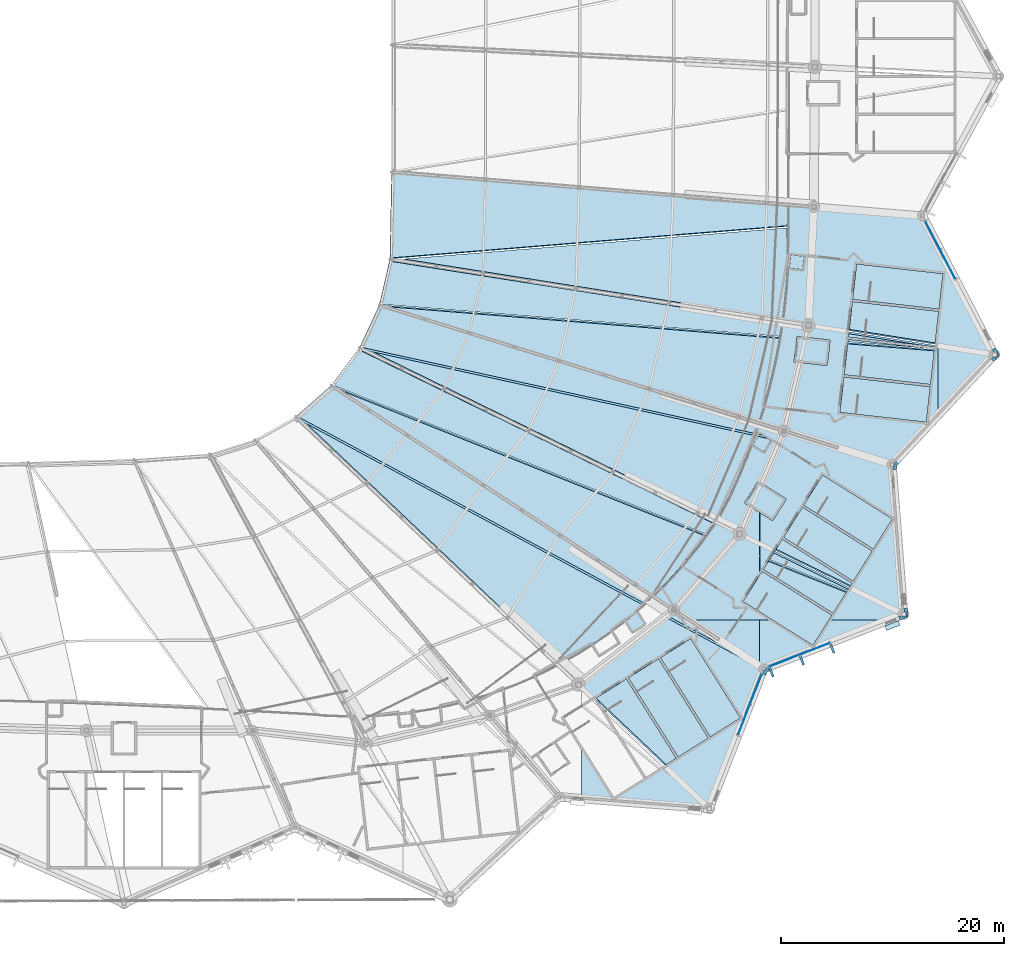
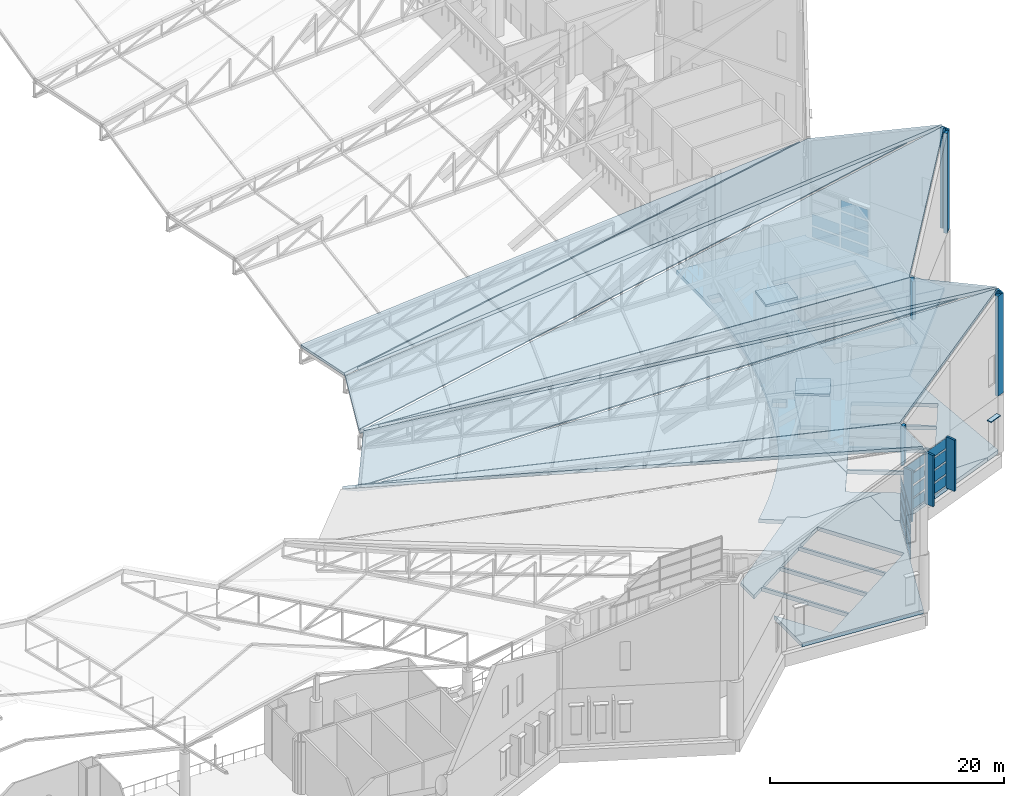
# One storey, part 232 of 344: 30 plates, 19 slabs, 3 elements without a shape of their own.
"""IFC4 building model written with IfcOpenShell, lengths in metres."""

from ifc_helpers import new_model, si_unit, direction, frame, origin, origin_2d, place, context, subcontext, project, spatial, polyline, rectangle, outline, extrude, material, layer, layer_set, type_object, element, aggregate, save


model = new_model("IFC4")

# Units and contexts
model_context = context("Model", 3, precision=1e-05, world=origin(), true_north=direction((0.0, 1.0)))
body_context = subcontext(model_context, "Body", "Model", "MODEL_VIEW")
ifc_project = project(units=[si_unit("LENGTHUNIT", "METRE"), si_unit("AREAUNIT", "SQUARE_METRE"), si_unit("VOLUMEUNIT", "CUBIC_METRE"), si_unit("PLANEANGLEUNIT", "RADIAN"), si_unit("MASSUNIT", "GRAM", prefix="KILO")], contexts=[model_context])

# Site, building, storey
site_placement = place(None, origin())
site = spatial("IfcSite", under=ifc_project, at=site_placement, CompositionType="ELEMENT")
building_placement = place(site_placement, origin())
building = spatial("IfcBuilding", under=site, at=building_placement, Name="Meseta Stadium", CompositionType="ELEMENT")
storey_placement = place(building_placement, frame((0.0, 0.0, 24.0)))
storey = spatial("IfcBuildingStorey", under=building, at=storey_placement, Name="L04", CompositionType="ELEMENT", Elevation=24.0)

# Plates
ifc_material_1 = material(Name="White precast concrete C40/50", Category="concrete")
ifc_layer_1 = layer(ifc_material_1, 0.199951171875)
ifc_layer_set_1 = layer_set([ifc_layer_1], Name="Brise-soleil fin 200x900")
plate_type_1 = type_object("IfcPlateType", Name="Brise-soleil fin 200x900", PredefinedType="USERDEFINED", material=ifc_layer_set_1)
for number, where, z_axis, x_axis, name in (
    (1, (81.044921875, -84.663818359375, 0.0), (0.0, 0.0, 1.0), (0.931679912901, 0.363280249803, 0.0), "Brise-soleil fin F53.1"),
    (2, (83.77001953125, -83.601318359375, 0.0), (0.0, 0.0, 1.0), (0.931679912901, 0.363280249803, 0.0), "Brise-soleil fin F53.2"),
    (3, (86.4951171875, -82.538818359375, 0.0), (0.0, 0.0, 1.0), (0.931679912901, 0.363280249803, 0.0), "Brise-soleil fin F53.3"),
):
    element("IfcPlate", number, at=place(storey_placement, frame(where, z_axis=z_axis, x_axis=x_axis)), inside=storey, type_object=plate_type_1, Name=name, ObjectType="FIN", PredefinedType="USERDEFINED", context=body_context, shape_type="SweptSolid", body=[
        extrude(rectangle(XDim=0.199951171875, YDim=0.89990234375, at=origin_2d()), origin(), (0.0, 0.0, 1.0), 5.35009765625),
    ])

# Curtain wall, plates
ifc_material_2 = material(Name="Steel S355", Category="steel")
ifc_layer_2 = layer(ifc_material_2, 0.300048828125)
ifc_layer_set_2 = layer_set([ifc_layer_2], Name="Valley atrium curtain wall")
curtain_wall_type = type_object("IfcCurtainWallType", Name="Valley atrium curtain wall", PredefinedType="NOTDEFINED", material=ifc_layer_set_2)
curtain_wall_1_placement = place(storey_placement, origin())
curtain_wall_1 = element("IfcCurtainWall", 4, at=curtain_wall_1_placement, inside=storey, type_object=curtain_wall_type, Name="Valley atrium glazing F00", PredefinedType="NOTDEFINED")
ifc_material_3 = material(Name="Glass", Category="glass")
ifc_layer_3 = layer(ifc_material_3, 0.035888671875)
ifc_layer_set_3 = layer_set([ifc_layer_3], Name="CW glass panel 36")
plate_type_2 = type_object("IfcPlateType", Name="CW glass panel 36", PredefinedType="CURTAIN_PANEL", material=ifc_layer_set_3)
plate_1_placement = place(storey_placement, frame((96.859619140625, -48.111572265625, 0.199951171875), z_axis=(0.0, 0.0, 1.0), x_axis=(-0.460015515377, 0.887910877066, 0.0)))
plate_1 = element("IfcPlate", 5, at=plate_1_placement, type_object=plate_type_2, Name="CWA panel 1.1", PredefinedType="CURTAIN_PANEL", context=body_context, shape_type="SweptSolid", body=[
    extrude(rectangle(XDim=2.77490234375, YDim=0.035888671875, at=origin_2d()), origin(), (0.0, 0.0, 1.0), 1.03759765625),
])
plate_2_placement = place(storey_placement, frame((96.859619140625, -48.111572265625, 1.4375), z_axis=(0.0, 0.0, 1.0), x_axis=(-0.460015515377, 0.887910877066, 0.0)))
plate_2 = element("IfcPlate", 6, at=plate_2_placement, type_object=plate_type_2, Name="CWA panel 1.2", PredefinedType="CURTAIN_PANEL", context=body_context, shape_type="SweptSolid", body=[
    extrude(rectangle(XDim=2.77490234375, YDim=0.035888671875, at=origin_2d()), origin(), (0.0, 0.0, 1.0), 1.137451171875),
])
plate_3_placement = place(storey_placement, frame((96.859619140625, -48.111572265625, 2.77490234375), z_axis=(0.0, 0.0, 1.0), x_axis=(-0.460015515377, 0.887910877066, 0.0)))
plate_3 = element("IfcPlate", 7, at=plate_3_placement, type_object=plate_type_2, Name="CWA panel 1.3", PredefinedType="CURTAIN_PANEL", context=body_context, shape_type="SweptSolid", body=[
    extrude(rectangle(XDim=2.77490234375, YDim=0.035888671875, at=origin_2d()), origin(), (0.0, 0.0, 1.0), 1.137451171875),
])
plate_4_placement = place(storey_placement, frame((96.859619140625, -48.111572265625, 4.112548828125), z_axis=(0.0, 0.0, 1.0), x_axis=(-0.460015515377, 0.887910877066, 0.0)))
plate_4 = element("IfcPlate", 8, at=plate_4_placement, type_object=plate_type_2, Name="CWA panel 1.4", PredefinedType="CURTAIN_PANEL", context=body_context, shape_type="SweptSolid", body=[
    extrude(rectangle(XDim=2.77490234375, YDim=0.035888671875, at=origin_2d()), origin(), (0.0, 0.0, 1.0), 1.03759765625),
])
plate_5_placement = place(storey_placement, frame((95.51416015625, -45.514404296875, 0.199951171875), z_axis=(0.0, 0.0, 1.0), x_axis=(-0.460015515377, 0.887910877066, 0.0)))
plate_5 = element("IfcPlate", 9, at=plate_5_placement, type_object=plate_type_2, Name="CWA panel 2.1", PredefinedType="CURTAIN_PANEL", context=body_context, shape_type="SweptSolid", body=[
    extrude(rectangle(XDim=2.77490234375, YDim=0.035888671875, at=origin_2d()), origin(), (0.0, 0.0, 1.0), 1.03759765625),
])
plate_6_placement = place(storey_placement, frame((95.51416015625, -45.514404296875, 1.4375), z_axis=(0.0, 0.0, 1.0), x_axis=(-0.460015515377, 0.887910877066, 0.0)))
plate_6 = element("IfcPlate", 10, at=plate_6_placement, type_object=plate_type_2, Name="CWA panel 2.2", PredefinedType="CURTAIN_PANEL", context=body_context, shape_type="SweptSolid", body=[
    extrude(rectangle(XDim=2.77490234375, YDim=0.035888671875, at=origin_2d()), origin(), (0.0, 0.0, 1.0), 1.137451171875),
])
aggregate(curtain_wall_1, [plate_1, plate_2, plate_3, plate_4, plate_5, plate_6])

curtain_wall_2_placement = place(storey_placement, origin())
curtain_wall_2 = element("IfcCurtainWall", 11, at=curtain_wall_2_placement, inside=storey, type_object=curtain_wall_type, Name="Valley atrium glazing F52", PredefinedType="NOTDEFINED")
plate_7_placement = place(storey_placement, frame((78.580810546875, -88.94189453125, 0.199951171875), z_axis=(0.0, 0.0, 1.0), x_axis=(0.363280249803, 0.931679912901, 0.0)))
plate_7 = element("IfcPlate", 12, at=plate_7_placement, type_object=plate_type_2, Name="CWA panel 1.1", PredefinedType="CURTAIN_PANEL", context=body_context, shape_type="SweptSolid", body=[
    extrude(rectangle(XDim=2.77490234375, YDim=0.035888671875, at=origin_2d()), origin(), (0.0, 0.0, 1.0), 1.03759765625),
])
plate_8_placement = place(storey_placement, frame((78.580810546875, -88.94189453125, 1.4375), z_axis=(0.0, 0.0, 1.0), x_axis=(0.363280249803, 0.931679912901, 0.0)))
plate_8 = element("IfcPlate", 13, at=plate_8_placement, type_object=plate_type_2, Name="CWA panel 1.2", PredefinedType="CURTAIN_PANEL", context=body_context, shape_type="SweptSolid", body=[
    extrude(rectangle(XDim=2.77490234375, YDim=0.035888671875, at=origin_2d()), origin(), (0.0, 0.0, 1.0), 1.137451171875),
])
plate_9_placement = place(storey_placement, frame((78.580810546875, -88.94189453125, 2.77490234375), z_axis=(0.0, 0.0, 1.0), x_axis=(0.363280249803, 0.931679912901, 0.0)))
plate_9 = element("IfcPlate", 14, at=plate_9_placement, type_object=plate_type_2, Name="CWA panel 1.3", PredefinedType="CURTAIN_PANEL", context=body_context, shape_type="SweptSolid", body=[
    extrude(rectangle(XDim=2.77490234375, YDim=0.035888671875, at=origin_2d()), origin(), (0.0, 0.0, 1.0), 1.137451171875),
])
plate_10_placement = place(storey_placement, frame((78.580810546875, -88.94189453125, 4.112548828125), z_axis=(0.0, 0.0, 1.0), x_axis=(0.363280249803, 0.931679912901, 0.0)))
plate_10 = element("IfcPlate", 15, at=plate_10_placement, type_object=plate_type_2, Name="CWA panel 1.4", PredefinedType="CURTAIN_PANEL", context=body_context, shape_type="SweptSolid", body=[
    extrude(rectangle(XDim=2.77490234375, YDim=0.035888671875, at=origin_2d()), origin(), (0.0, 0.0, 1.0), 1.03759765625),
])
plate_11_placement = place(storey_placement, frame((79.6435546875, -86.216796875, 0.199951171875), z_axis=(0.0, 0.0, 1.0), x_axis=(0.363280249803, 0.931679912901, 0.0)))
plate_11 = element("IfcPlate", 16, at=plate_11_placement, type_object=plate_type_2, Name="CWA panel 2.1", PredefinedType="CURTAIN_PANEL", context=body_context, shape_type="SweptSolid", body=[
    extrude(rectangle(XDim=2.77490234375, YDim=0.035888671875, at=origin_2d()), origin(), (0.0, 0.0, 1.0), 1.03759765625),
])
plate_12_placement = place(storey_placement, frame((79.6435546875, -86.216796875, 1.4375), z_axis=(0.0, 0.0, 1.0), x_axis=(0.363280249803, 0.931679912901, 0.0)))
plate_12 = element("IfcPlate", 17, at=plate_12_placement, type_object=plate_type_2, Name="CWA panel 2.2", PredefinedType="CURTAIN_PANEL", context=body_context, shape_type="SweptSolid", body=[
    extrude(rectangle(XDim=2.77490234375, YDim=0.035888671875, at=origin_2d()), origin(), (0.0, 0.0, 1.0), 1.137451171875),
])
plate_13_placement = place(storey_placement, frame((79.6435546875, -86.216796875, 2.77490234375), z_axis=(0.0, 0.0, 1.0), x_axis=(0.363280249803, 0.931679912901, 0.0)))
plate_13 = element("IfcPlate", 18, at=plate_13_placement, type_object=plate_type_2, Name="CWA panel 2.3", PredefinedType="CURTAIN_PANEL", context=body_context, shape_type="SweptSolid", body=[
    extrude(rectangle(XDim=2.77490234375, YDim=0.035888671875, at=origin_2d()), origin(), (0.0, 0.0, 1.0), 1.137451171875),
])
plate_14_placement = place(storey_placement, frame((79.6435546875, -86.216796875, 4.112548828125), z_axis=(0.0, 0.0, 1.0), x_axis=(0.363280249803, 0.931679912901, 0.0)))
plate_14 = element("IfcPlate", 19, at=plate_14_placement, type_object=plate_type_2, Name="CWA panel 2.4", PredefinedType="CURTAIN_PANEL", context=body_context, shape_type="SweptSolid", body=[
    extrude(rectangle(XDim=2.77490234375, YDim=0.035888671875, at=origin_2d()), origin(), (0.0, 0.0, 1.0), 1.03759765625),
])
aggregate(curtain_wall_2, [plate_7, plate_8, plate_9, plate_10, plate_11, plate_12, plate_13, plate_14])

curtain_wall_3_placement = place(storey_placement, origin())
curtain_wall_3 = element("IfcCurtainWall", 20, at=curtain_wall_3_placement, inside=storey, type_object=curtain_wall_type, Name="Valley atrium glazing F53", PredefinedType="NOTDEFINED")
plate_15_placement = place(storey_placement, frame((82.216796875, -83.6435546875, 0.199951171875), z_axis=(0.0, 0.0, 1.0), x_axis=(0.931679912901, 0.363280249803, 0.0)))
plate_15 = element("IfcPlate", 21, at=plate_15_placement, type_object=plate_type_2, Name="CWA panel 1.1", PredefinedType="CURTAIN_PANEL", context=body_context, shape_type="SweptSolid", body=[
    extrude(rectangle(XDim=2.77490234375, YDim=0.035888671875, at=origin_2d()), origin(), (0.0, 0.0, 1.0), 1.03759765625),
])
plate_16_placement = place(storey_placement, frame((82.216796875, -83.6435546875, 1.4375), z_axis=(0.0, 0.0, 1.0), x_axis=(0.931679912901, 0.363280249803, 0.0)))
plate_16 = element("IfcPlate", 22, at=plate_16_placement, type_object=plate_type_2, Name="CWA panel 1.2", PredefinedType="CURTAIN_PANEL", context=body_context, shape_type="SweptSolid", body=[
    extrude(rectangle(XDim=2.77490234375, YDim=0.035888671875, at=origin_2d()), origin(), (0.0, 0.0, 1.0), 1.137451171875),
])
plate_17_placement = place(storey_placement, frame((82.216796875, -83.6435546875, 2.77490234375), z_axis=(0.0, 0.0, 1.0), x_axis=(0.931679912901, 0.363280249803, 0.0)))
plate_17 = element("IfcPlate", 23, at=plate_17_placement, type_object=plate_type_2, Name="CWA panel 1.3", PredefinedType="CURTAIN_PANEL", context=body_context, shape_type="SweptSolid", body=[
    extrude(rectangle(XDim=2.77490234375, YDim=0.035888671875, at=origin_2d()), origin(), (0.0, 0.0, 1.0), 1.137451171875),
])
plate_18_placement = place(storey_placement, frame((82.216796875, -83.6435546875, 4.112548828125), z_axis=(0.0, 0.0, 1.0), x_axis=(0.931679912901, 0.363280249803, 0.0)))
plate_18 = element("IfcPlate", 24, at=plate_18_placement, type_object=plate_type_2, Name="CWA panel 1.4", PredefinedType="CURTAIN_PANEL", context=body_context, shape_type="SweptSolid", body=[
    extrude(rectangle(XDim=2.77490234375, YDim=0.035888671875, at=origin_2d()), origin(), (0.0, 0.0, 1.0), 1.03759765625),
])
plate_19_placement = place(storey_placement, frame((84.94189453125, -82.580810546875, 0.199951171875), z_axis=(0.0, 0.0, 1.0), x_axis=(0.931679912901, 0.363280249803, 0.0)))
plate_19 = element("IfcPlate", 25, at=plate_19_placement, type_object=plate_type_2, Name="CWA panel 2.1", PredefinedType="CURTAIN_PANEL", context=body_context, shape_type="SweptSolid", body=[
    extrude(rectangle(XDim=2.77490234375, YDim=0.035888671875, at=origin_2d()), origin(), (0.0, 0.0, 1.0), 1.03759765625),
])
plate_20_placement = place(storey_placement, frame((84.94189453125, -82.580810546875, 1.4375), z_axis=(0.0, 0.0, 1.0), x_axis=(0.931679912901, 0.363280249803, 0.0)))
plate_20 = element("IfcPlate", 26, at=plate_20_placement, type_object=plate_type_2, Name="CWA panel 2.2", PredefinedType="CURTAIN_PANEL", context=body_context, shape_type="SweptSolid", body=[
    extrude(rectangle(XDim=2.77490234375, YDim=0.035888671875, at=origin_2d()), origin(), (0.0, 0.0, 1.0), 1.137451171875),
])
plate_21_placement = place(storey_placement, frame((84.94189453125, -82.580810546875, 2.77490234375), z_axis=(0.0, 0.0, 1.0), x_axis=(0.931679912901, 0.363280249803, 0.0)))
plate_21 = element("IfcPlate", 27, at=plate_21_placement, type_object=plate_type_2, Name="CWA panel 2.3", PredefinedType="CURTAIN_PANEL", context=body_context, shape_type="SweptSolid", body=[
    extrude(rectangle(XDim=2.77490234375, YDim=0.035888671875, at=origin_2d()), origin(), (0.0, 0.0, 1.0), 1.137451171875),
])
plate_22_placement = place(storey_placement, frame((84.94189453125, -82.580810546875, 4.112548828125), z_axis=(0.0, 0.0, 1.0), x_axis=(0.931679912901, 0.363280249803, 0.0)))
plate_22 = element("IfcPlate", 28, at=plate_22_placement, type_object=plate_type_2, Name="CWA panel 2.4", PredefinedType="CURTAIN_PANEL", context=body_context, shape_type="SweptSolid", body=[
    extrude(rectangle(XDim=2.77490234375, YDim=0.035888671875, at=origin_2d()), origin(), (0.0, 0.0, 1.0), 1.03759765625),
])
aggregate(curtain_wall_3, [plate_15, plate_16, plate_17, plate_18, plate_19, plate_20, plate_21, plate_22])

# Slabs
ifc_material_4 = material(Name="Concrete C40/50", Category="concrete")
ifc_layer_4 = layer(ifc_material_4, 0.25)
ifc_layer_set_4 = layer_set([ifc_layer_4], Name="Core roof slab 250")
slab_type_1 = type_object("IfcSlabType", Name="Core roof slab 250", PredefinedType="ROOF", material=ifc_layer_set_4)
slab_1_placement = place(storey_placement, frame((0.0, 0.0, 4.60009765625)))
element("IfcSlab", 29, at=slab_1_placement, inside=storey, type_object=slab_type_1, Name="Core 01 lift overrun roof", PredefinedType="ROOF", context=body_context, shape_type="SweptSolid", body=[
    extrude(outline(polyline([(86.048095703125, -57.17919921875), (83.06689453125, -56.84326171875), (83.324462890625, -54.5576171875), (86.305419921875, -54.8935546875), (86.048095703125, -57.17919921875)])), origin(), (0.0, 0.0, 1.0), 0.25),
])
slab_2_placement = place(storey_placement, frame((0.0, 0.0, 4.60009765625)))
element("IfcSlab", 30, at=slab_2_placement, inside=storey, type_object=slab_type_1, Name="Core 28 lift overrun roof", PredefinedType="ROOF", context=body_context, shape_type="SweptSolid", body=[
    extrude(outline(polyline([(81.16796875, -71.093505859375), (78.627685546875, -69.49755859375), (79.851318359375, -67.550048828125), (82.3916015625, -69.14599609375), (81.16796875, -71.093505859375)])), origin(), (0.0, 0.0, 1.0), 0.25),
])
ifc_material_5 = material(Name="Concrete C40/50", Category="concrete")
ifc_layer_5 = layer(ifc_material_5, 0.39990234375)
ifc_layer_set_5 = layer_set([ifc_layer_5], Name="Floor slab 400")
slab_type_2 = type_object("IfcSlabType", Name="Floor slab 400", PredefinedType="FLOOR", material=ifc_layer_set_5)
slab_3_placement = place(storey_placement, frame((0.0, 0.0, -0.39990234375)))
element("IfcSlab", 31, at=slab_3_placement, inside=storey, type_object=slab_type_2, Name="Floor slab L04 sector 00 panel 07", PredefinedType="FLOOR", context=body_context, shape_type="SweptSolid", body=[
    extrude(outline(polyline([(94.736328125, -43.49951171875), (82.47802734375, -42.55859375), (82.44091796875, -48.63525390625), (82.330810546875, -50.19287109375), (82.176025390625, -51.74609375), (81.977783203125, -53.2841796875), (87.98779296875, -54.252197265625), (88.30419921875, -51.44580078125), (96.05517578125, -52.319091796875), (95.697509765625, -55.493896484375), (100.927490234375, -56.336181640625), (101.0517578125, -56.202880859375), (94.60009765625, -43.75), (94.736328125, -43.49951171875)]), holes=[polyline([(82.7890625, -47.251708984375), (83.9814453125, -47.385986328125), (83.84716796875, -48.57861328125), (82.65478515625, -48.444091796875), (82.7890625, -47.251708984375)]), polyline([(96.077392578125, -52.1201171875), (88.326416015625, -51.246826171875), (88.684814453125, -48.06689453125), (96.435791015625, -48.9404296875), (96.077392578125, -52.1201171875)])]), origin(), (0.0, 0.0, 1.0), 0.39990234375),
])
slab_4_placement = place(storey_placement, frame((0.0, 0.0, -0.39990234375)))
element("IfcSlab", 32, at=slab_4_placement, inside=storey, type_object=slab_type_2, Name="Floor slab L04 sector 49 panel 04", PredefinedType="FLOOR", context=body_context, shape_type="SweptSolid", body=[
    extrude(outline(polyline([(75.828857421875, -96.0), (80.365478515625, -84.365478515625), (80.0, -84.126220703125), (80.0, -80.0), (73.699951171875, -80.0), (72.31201171875, -79.091064453125), (64.0, -85.5615234375), (64.0, -87.8203125), (65.1689453125, -87.085693359375), (69.63818359375, -94.1982421875), (66.9287109375, -95.90087890625), (64.0, -91.239990234375), (64.0, -96.023193359375), (75.474609375, -96.908447265625), (75.825927734375, -96.00732421875), (75.818115234375, -96.0), (75.828857421875, -96.0)]), holes=[polyline([(72.516845703125, -92.389404296875), (69.807373046875, -94.091796875), (65.33837890625, -86.9794921875), (68.0478515625, -85.27685546875), (72.516845703125, -92.389404296875)]), polyline([(75.395751953125, -90.58056640625), (72.686279296875, -92.282958984375), (68.21728515625, -85.17041015625), (70.9267578125, -83.468017578125), (75.395751953125, -90.58056640625)]), polyline([(78.274658203125, -88.771484375), (75.565185546875, -90.47412109375), (71.09619140625, -83.361572265625), (73.8056640625, -81.6591796875), (78.274658203125, -88.771484375)])]), origin(), (0.0, 0.0, 1.0), 0.39990234375),
])
slab_5_placement = place(storey_placement, frame((0.0, 0.0, -0.39990234375)))
element("IfcSlab", 33, at=slab_5_placement, inside=storey, type_object=slab_type_2, Name="Floor slab L04 sector 49 panel 05", PredefinedType="FLOOR", context=body_context, shape_type="SweptSolid", body=[
    extrude(outline(polyline([(72.264892578125, -75.945068359375), (71.172119140625, -77.0810546875), (70.034423828125, -78.172607421875), (71.885986328125, -79.422607421875), (72.31201171875, -79.091064453125), (73.699951171875, -80.0), (81.151611328125, -80.0), (78.505859375, -78.337646484375), (80.0, -75.959716796875), (80.0, -70.12353515625), (78.903564453125, -69.4345703125), (79.914306640625, -67.82568359375), (80.06787109375, -67.922119140625), (82.13427734375, -63.114990234375), (79.852783203125, -62.399658203125), (79.347412109375, -63.8759765625), (79.30078125, -64.0), (78.799072265625, -65.337158203125), (78.208984375, -66.782470703125), (77.5771484375, -68.21044921875), (76.904296875, -69.6201171875), (76.15234375, -70.99169921875), (75.256103515625, -72.287353515625), (74.30859375, -73.546142578125), (73.31103515625, -74.76611328125), (72.264892578125, -75.945068359375)]), holes=[polyline([(80.377197265625, -64.927734375), (79.361083984375, -64.289306640625), (80.0, -63.273681640625), (81.015625, -63.91162109375), (80.377197265625, -64.927734375)])]), origin(), (0.0, 0.0, 1.0), 0.39990234375),
])
slab_6_placement = place(storey_placement, frame((0.0, 0.0, -0.39990234375)))
element("IfcSlab", 34, at=slab_6_placement, inside=storey, type_object=slab_type_2, Name="Floor slab L04 sector 49 panel 06", PredefinedType="FLOOR", context=body_context, shape_type="SweptSolid", body=[
    extrude(outline(polyline([(80.0, -80.0), (80.0, -84.126220703125), (80.365478515625, -84.365478515625), (91.56103515625, -80.0), (86.20068359375, -80.0), (84.771484375, -82.274658203125), (81.151611328125, -80.0), (80.0, -80.0)])), origin(), (0.0, 0.0, 1.0), 0.39990234375),
])
slab_7_placement = place(storey_placement, frame((0.0, 0.0, -0.39990234375)))
element("IfcSlab", 35, at=slab_7_placement, inside=storey, type_object=slab_type_2, Name="Floor slab L04 sector 49 panel 07", PredefinedType="FLOOR", context=body_context, shape_type="SweptSolid", body=[
    extrude(outline(polyline([(95.3837890625, -55.463623046875), (87.94580078125, -54.62548828125), (87.985595703125, -54.272216796875), (81.974853515625, -53.303955078125), (81.732421875, -54.83544921875), (81.444091796875, -56.368896484375), (81.11181640625, -57.89306640625), (80.735595703125, -59.406982421875), (80.31591796875, -60.90966796875), (79.852783203125, -62.399658203125), (91.8818359375, -66.171142578125), (91.872802734375, -66.051513671875), (96.0, -61.623046875), (96.0, -55.56298828125), (95.3837890625, -55.463623046875)]), holes=[polyline([(86.08447265625, -55.06982421875), (85.87158203125, -56.9580078125), (83.2880859375, -56.6669921875), (83.500732421875, -54.77880859375), (86.08447265625, -55.06982421875)]), polyline([(87.1845703125, -61.3828125), (87.542724609375, -58.202880859375), (95.293701171875, -59.076171875), (94.935302734375, -62.256103515625), (87.1845703125, -61.3828125)]), polyline([(87.565185546875, -58.004150390625), (87.923583984375, -54.82421875), (95.67431640625, -55.697509765625), (95.316162109375, -58.87744140625), (87.565185546875, -58.004150390625)])]), origin(), (0.0, 0.0, 1.0), 0.39990234375),
])
slab_8_placement = place(storey_placement, frame((0.0, 0.0, -0.39990234375)))
element("IfcSlab", 36, at=slab_8_placement, inside=storey, type_object=slab_type_2, Name="Floor slab L04 sector 49 panel 08", PredefinedType="FLOOR", context=body_context, shape_type="SweptSolid", body=[
    extrude(outline(polyline([(91.8818359375, -66.171142578125), (82.1455078125, -63.11865234375), (82.145263671875, -63.11962890625), (80.078857421875, -67.927001953125), (80.078369140625, -67.927978515625), (80.077880859375, -67.9287109375), (82.11572265625, -69.208984375), (81.10498046875, -70.81787109375), (80.011962890625, -70.131103515625), (80.011962890625, -75.9404296875), (80.208251953125, -75.628173828125), (86.47412109375, -79.565185546875), (86.20068359375, -80.0), (91.56103515625, -80.0), (92.908447265625, -79.474609375), (91.8818359375, -66.171142578125)]), holes=[polyline([(80.314697265625, -75.458740234375), (82.01708984375, -72.749267578125), (88.282958984375, -76.686279296875), (86.58056640625, -79.395751953125), (80.314697265625, -75.458740234375)]), polyline([(88.389404296875, -76.516845703125), (82.123779296875, -72.579833984375), (83.826171875, -69.870361328125), (90.091796875, -73.807373046875), (88.389404296875, -76.516845703125)]), polyline([(90.1982421875, -73.63818359375), (83.9326171875, -69.700927734375), (85.635009765625, -66.991455078125), (91.90087890625, -70.9287109375), (90.1982421875, -73.63818359375)])]), origin(), (0.0, 0.0, 1.0), 0.39990234375),
])
slab_9_placement = place(storey_placement, frame((0.0, 0.0, -0.39990234375)))
element("IfcSlab", 37, at=slab_9_placement, inside=storey, type_object=slab_type_2, Name="Floor slab L04 sector 49 panel 09", PredefinedType="FLOOR", context=body_context, shape_type="SweptSolid", body=[
    extrude(outline(polyline([(96.0, -61.623046875), (100.910888671875, -56.353759765625), (96.0, -55.56298828125), (96.0, -61.623046875)])), origin(), (0.0, 0.0, 1.0), 0.39990234375),
])

# Plates
ifc_material_6 = material(Name="White precast concrete C40/50", Category="concrete")
ifc_layer_6 = layer(ifc_material_6, 0.320068359375)
ifc_layer_set_6 = layer_set([ifc_layer_6], Name="Fold closer plate 320")
plate_type_3 = type_object("IfcPlateType", Name="Fold closer plate 320", PredefinedType="USERDEFINED", material=ifc_layer_set_6)
plate_23_placement = place(storey_placement, frame((0.0, 0.0, 6.0)))
element("IfcPlate", 38, at=plate_23_placement, inside=storey, type_object=plate_type_3, Name="Pleated fascia fold closer L04 F52", ObjectType="CLADDING", PredefinedType="USERDEFINED", context=body_context, shape_type="SweptSolid", body=[
    extrude(outline(polyline([(80.345947265625, -84.525390625), (80.2392578125, -84.798828125), (80.53759765625, -84.9150390625), (80.643310546875, -84.643310546875), (80.9150390625, -84.53759765625), (80.798828125, -84.2392578125), (80.525390625, -84.345947265625), (80.525390625, -84.515380859375), (80.52099609375, -84.523681640625), (80.345947265625, -84.525390625)])), origin(), (0.0, 0.0, 1.0), 3.930908203125),
])
plate_24_placement = place(storey_placement, frame((0.0, 0.0, 6.0)))
element("IfcPlate", 39, at=plate_24_placement, inside=storey, type_object=plate_type_3, Name="Pleated fascia fold closer L04 F53", ObjectType="CLADDING", PredefinedType="USERDEFINED", context=body_context, shape_type="SweptSolid", body=[
    extrude(outline(polyline([(92.698486328125, -79.599365234375), (92.45751953125, -79.693359375), (92.57373046875, -79.991455078125), (93.2880859375, -79.712890625), (93.22900390625, -78.94873046875), (92.909912109375, -78.973388671875), (92.932373046875, -79.2646484375), (93.1083984375, -79.2646484375), (93.1181640625, -79.271728515625), (93.118408203125, -79.674560546875), (93.1162109375, -79.680908203125), (93.1083984375, -79.6845703125), (92.70654296875, -79.684326171875), (92.698486328125, -79.675537109375), (92.698486328125, -79.599365234375)])), origin(), (0.0, 0.0, 1.0), 10.4326171875),
])
plate_25_placement = place(storey_placement, frame((0.0, 0.0, 6.0)))
element("IfcPlate", 40, at=plate_25_placement, inside=storey, type_object=plate_type_3, Name="Pleated fascia fold closer L04 F54", ObjectType="CLADDING", PredefinedType="USERDEFINED", context=body_context, shape_type="SweptSolid", body=[
    extrude(outline(polyline([(92.20849609375, -65.75), (92.03271484375, -65.938720703125), (92.031005859375, -66.20703125), (92.022705078125, -66.211669921875), (91.92529296875, -66.211669921875), (91.947265625, -66.496826171875), (92.266357421875, -66.47216796875), (92.243896484375, -66.181396484375), (92.442626953125, -65.96826171875), (92.20849609375, -65.75)])), origin(), (0.0, 0.0, 1.0), 3.96484375),
])
plate_26_placement = place(storey_placement, frame((0.0, 0.0, 6.0)))
element("IfcPlate", 41, at=plate_26_placement, inside=storey, type_object=plate_type_3, Name="Pleated fascia fold closer L04 F55", ObjectType="CLADDING", PredefinedType="USERDEFINED", context=body_context, shape_type="SweptSolid", body=[
    extrude(outline(polyline([(100.91064453125, -56.412841796875), (100.740478515625, -56.595458984375), (100.974609375, -56.813720703125), (101.488037109375, -56.2626953125), (101.141357421875, -55.593505859375), (100.857421875, -55.74072265625), (100.98779296875, -55.992919921875), (101.251708984375, -55.992919921875), (101.260009765625, -55.997314453125), (101.26123046875, -56.40576171875), (101.251708984375, -56.412841796875), (100.91064453125, -56.412841796875)])), origin(), (0.0, 0.0, 1.0), 10.4326171875),
])
ifc_material_7 = material(Name="White precast concrete C40/50", Category="concrete")
ifc_layer_7 = layer(ifc_material_7, 0.080078125)
ifc_layer_set_7 = layer_set([ifc_layer_7], Name="Louvre hood 1300x450")
plate_type_4 = type_object("IfcPlateType", Name="Louvre hood 1300x450", PredefinedType="USERDEFINED", material=ifc_layer_set_7)
plate_27_placement = place(storey_placement, frame((91.897705078125, -80.49658203125, 4.25), z_axis=(0.0, 0.0, 1.0), x_axis=(0.931679912901, 0.363280249803, 0.0)))
element("IfcPlate", 42, at=plate_27_placement, inside=storey, type_object=plate_type_4, Name="Louvre hood L04 F53", ObjectType="LOUVRE", PredefinedType="USERDEFINED", context=body_context, shape_type="SweptSolid", body=[
    extrude(rectangle(XDim=1.300048828125, YDim=0.449951171875, at=origin_2d()), origin(), (0.0, 0.0, 1.0), 0.080078125),
])

# Slabs
ifc_material_8 = material(Name="Precast concrete C40/50", Category="concrete")
ifc_layer_8 = layer(ifc_material_8, 0.300048828125)
ifc_layer_set_8 = layer_set([ifc_layer_8], Name="Roof plate 300")
slab_type_3 = type_object("IfcSlabType", Name="Roof plate 300", PredefinedType="ROOF", material=ifc_layer_set_8)
slab_10_placement = place(storey_placement, frame((46.982421875, -39.834228515625, 3.031494140625), z_axis=(-0.127163496305, 0.22296413414, 0.966496994354), x_axis=(0.985604231401, -0.081050067327, 0.148375151665)))
element("IfcSlab", 43, at=slab_10_placement, inside=storey, type_object=slab_type_3, Name="Roof panel RP-00 A", PredefinedType="ROOF", context=body_context, shape_type="SweptSolid", body=[
    extrude(outline(polyline([(0.0, 0.0), (47.70753863983217, 4.440892098500626e-16), (0.7359433584064762, -7.866591842861459), (0.0, 0.0)])), origin(), (0.0, 0.0, -1.0), 0.300048828125),
])
slab_11_placement = place(storey_placement, frame((100.93359375, -55.974853515625, 16.87548828125), z_axis=(-0.135383566003, 0.419894687473, 0.897418375947), x_axis=(-0.964255299862, 0.152390795876, -0.21676891387)))
element("IfcSlab", 44, at=slab_11_placement, inside=storey, type_object=slab_type_3, Name="Roof panel RP-00 B", PredefinedType="ROOF", context=body_context, shape_type="SweptSolid", body=[
    extrude(outline(polyline([(0.0, 0.0), (54.80999698491533, 8.881784197001252e-16), (9.350230392127866, -11.974071297141498), (0.0, 0.0)])), origin(), (0.0, 0.0, -1.0), 0.300048828125),
])
slab_12_placement = place(storey_placement, frame((79.59521484375, -83.861083984375, 10.02880859375), z_axis=(0.211359391968, 0.587805651836, 0.780904426352), x_axis=(-0.822450075377, 0.538648263459, -0.182849451147)))
element("IfcSlab", 45, at=slab_12_placement, inside=storey, type_object=slab_type_3, Name="Roof panel RP-52 A", PredefinedType="ROOF", context=body_context, shape_type="SweptSolid", body=[
    extrude(outline(polyline([(0.0, 0.0), (46.22235380711188, 3.552713678800501e-15), (46.76655452949982, 4.919636913283664), (46.44956022192299, 4.988834770935753), (0.0, 0.0)])), origin(), (0.0, 0.0, -1.0), 0.300048828125),
])
slab_13_placement = place(storey_placement, frame((39.39697265625, -62.407470703125, 4.728271484375), z_axis=(0.115773712435, 0.438137454935, 0.891421347115), x_axis=(0.704897112853, -0.668530862383, 0.237037014689)))
element("IfcSlab", 46, at=slab_13_placement, inside=storey, type_object=slab_type_3, Name="Roof panel RP-52 B", PredefinedType="ROOF", context=body_context, shape_type="SweptSolid", body=[
    extrude(outline(polyline([(0.0, 0.0), (51.2964040186607, 0.0), (44.899076443237135, 13.270007126588999), (44.02688994119121, 13.012592419342798), (44.03555737325248, 12.99550889623082), (0.0, 0.0)])), origin(), (0.0, 0.0, -1.0), 0.300048828125),
])
slab_14_placement = place(storey_placement, frame((89.67919921875, -78.095947265625, 16.080078125), z_axis=(-0.417312863654, -0.451144123057, 0.788871950357), x_axis=(-0.894440141066, 0.35741611344, -0.268757429485)))
element("IfcSlab", 47, at=slab_14_placement, inside=storey, type_object=slab_type_3, Name="Roof panel RP-53 A", PredefinedType="ROOF", context=body_context, shape_type="SweptSolid", body=[
    extrude(outline(polyline([(0.0, 0.0), (53.71944518025049, 8.881784197001252e-16), (51.91091469035091, -4.662647588330508), (0.0, 0.0)])), origin(), (0.0, 0.0, -1.0), 0.300048828125),
])
slab_15_placement = place(storey_placement, frame((80.365478515625, -84.365478515625, 10.199951171875), z_axis=(-0.374799579635, -0.271342926352, 0.886509047571), x_axis=(-0.822451734128, 0.538646088581, -0.182848397003)))
element("IfcSlab", 48, at=slab_15_placement, inside=storey, type_object=slab_type_3, Name="Roof panel RP-53 B", PredefinedType="ROOF", context=body_context, shape_type="SweptSolid", body=[
    extrude(outline(polyline([(0.0, 0.0), (46.68687958796644, -3.1086244689504383e-15), (-8.835555157551614, -12.037070962543396), (0.0, 0.0)])), origin(), (0.0, 0.0, -1.0), 0.300048828125),
])
slab_16_placement = place(storey_placement, frame((90.99609375, -65.77880859375, 10.03759765625), z_axis=(0.048862156648, 0.622204963522, 0.781328018835), x_axis=(-0.940312678754, 0.292425859272, -0.174066605081)))
element("IfcSlab", 49, at=slab_16_placement, inside=storey, type_object=slab_type_3, Name="Roof panel RP-54 A", PredefinedType="ROOF", context=body_context, shape_type="SweptSolid", body=[
    extrude(outline(polyline([(0.0, 0.0), (47.97637492722115, -8.881784197001252e-16), (47.974867152452106, 5.06483267304325), (47.60232846226147, 5.135035650253329), (0.0, 0.0)])), origin(), (0.0, 0.0, -1.0), 0.300048828125),
])
slab_17_placement = place(storey_placement, frame((45.359619140625, -55.964599609375, 5.04443359375), z_axis=(-0.000888482704, 0.451857877707, 0.892089496044), x_axis=(0.876475369995, -0.429141275438, 0.21823998604)))
element("IfcSlab", 50, at=slab_17_placement, inside=storey, type_object=slab_type_3, Name="Roof panel RP-54 B", PredefinedType="ROOF", context=body_context, shape_type="SweptSolid", body=[
    extrude(outline(polyline([(0.0, 0.0), (54.229153717808934, 4.440892098500626e-15), (46.27818034997449, 12.376424145065808), (45.38539477209741, 12.138158020741681), (45.39346772567007, 12.120418580706582), (0.0, 0.0)])), origin(), (0.0, 0.0, -1.0), 0.300048828125),
])
slab_18_placement = place(storey_placement, frame((97.57568359375, -55.83935546875, 16.091796875), z_axis=(-0.26495579908, -0.543609189361, 0.796421668324), x_axis=(-0.960665081365, 0.07755490891, -0.266660528668)))
element("IfcSlab", 51, at=slab_18_placement, inside=storey, type_object=slab_type_3, Name="Roof panel RP-55 A", PredefinedType="ROOF", context=body_context, shape_type="SweptSolid", body=[
    extrude(outline(polyline([(0.0, 0.0), (53.78938506950113, -8.881784197001252e-16), (52.45696612304628, -4.736257016440166), (0.0, 0.0)])), origin(), (0.0, 0.0, -1.0), 0.300048828125),
])
slab_19_placement = place(storey_placement, frame((91.872802734375, -66.051513671875, 10.199951171875), z_axis=(-0.276456474537, -0.358102084476, 0.891815403982), x_axis=(-0.940311238072, 0.292430595828, -0.174066430364)))
element("IfcSlab", 52, at=slab_19_placement, inside=storey, type_object=slab_type_3, Name="Roof panel RP-55 B", PredefinedType="ROOF", context=body_context, shape_type="SweptSolid", body=[
    extrude(outline(polyline([(0.0, 0.0), (48.47988601529831, 8.881784197001252e-16), (-6.87376873773499, -13.27672712936009), (0.0, 0.0)])), origin(), (0.0, 0.0, -1.0), 0.300048828125),
])

save(model, "model.ifc")
